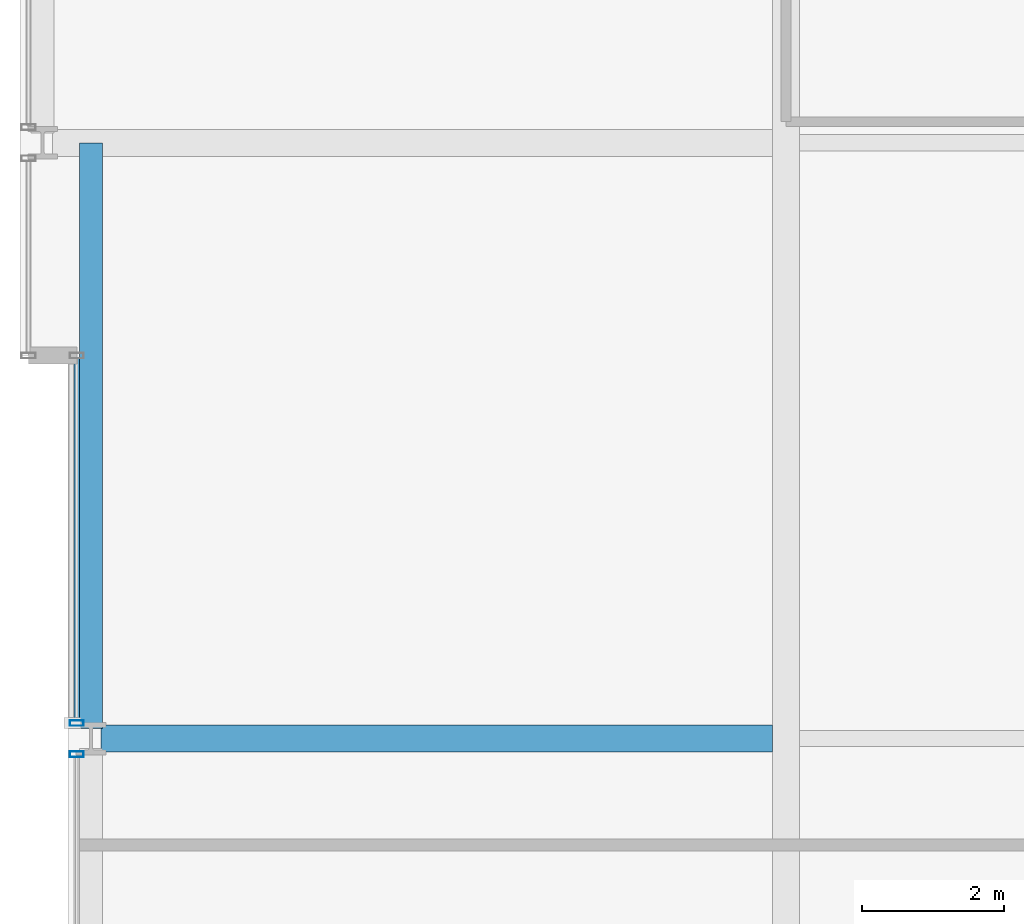
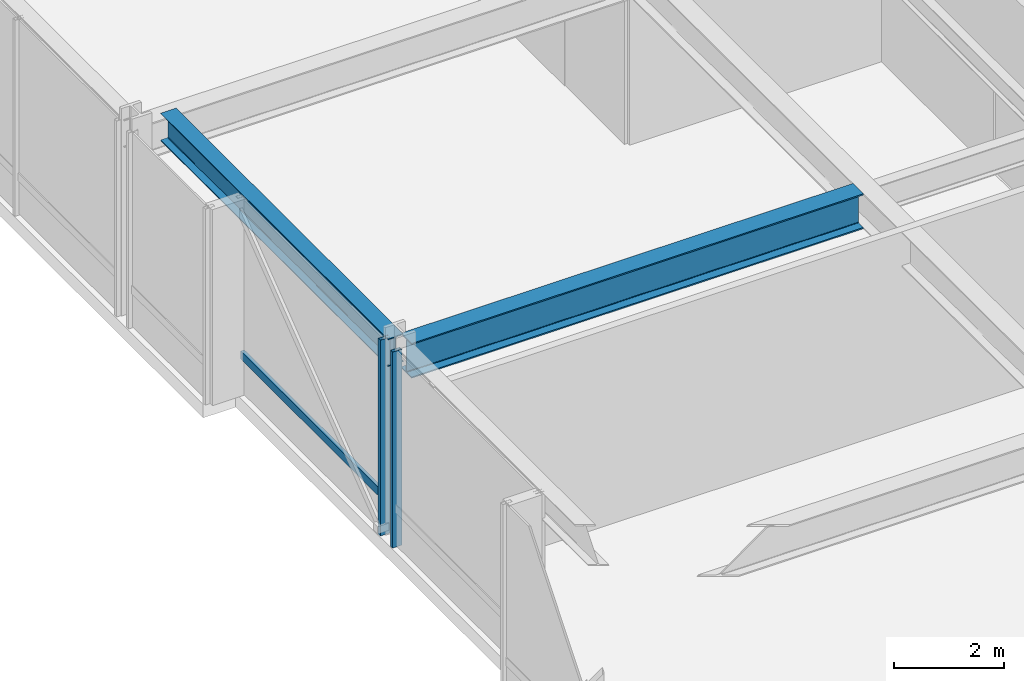
# One storey, part 9 of 33: 3 members, 2 beams, 2 elements without a shape of their own.
"""IFC4 building model written with IfcOpenShell, lengths in metres."""

from ifc_helpers import new_model, si_unit, direction, frame, origin, origin_2d, place, context, subcontext, project, spatial, hollow_rectangle, i_section, extrude, material, layer, layer_set, material_profile, profile_set, type_object, element, aggregate, save


model = new_model("IFC4")

# Units and contexts
model_context = context("Model", 3, precision=1e-05, world=origin(), true_north=direction((0.0, 1.0)))
body_context = subcontext(model_context, "Body", "Model", "MODEL_VIEW")
ifc_project = project(units=[si_unit("LENGTHUNIT", "METRE"), si_unit("AREAUNIT", "SQUARE_METRE"), si_unit("VOLUMEUNIT", "CUBIC_METRE"), si_unit("PLANEANGLEUNIT", "RADIAN"), si_unit("MASSUNIT", "GRAM", prefix="KILO")], contexts=[model_context])

# Site, building, storey
site_placement = place(None, origin())
site = spatial("IfcSite", under=ifc_project, at=site_placement, CompositionType="ELEMENT")
building_placement = place(site_placement, origin())
building = spatial("IfcBuilding", under=site, at=building_placement, Name="Drelvath Grand Hotel", CompositionType="ELEMENT")
storey_placement = place(building_placement, frame((0.0, 0.0, 87.199951171875)))
storey = spatial("IfcBuildingStorey", under=building, at=storey_placement, Name="L21", CompositionType="ELEMENT", Elevation=87.199951171875)

# Curtain wall, member
ifc_material_1 = material(Name="Champagne Bronze Anodised Aluminium Frame", Category="aluminium")
ifc_layer = layer(ifc_material_1, 0.199951171875)
ifc_layer_set = layer_set([ifc_layer], Name="Champagne Bronze Anodised Aluminium Frame")
curtain_wall_type = type_object("IfcCurtainWallType", Name="Stick Curtain Wall CW-03 Champagne Bronze Mid-Rise", PredefinedType="NOTDEFINED", material=ifc_layer_set)
curtain_wall_1_placement = place(storey_placement, origin())
curtain_wall_1 = element("IfcCurtainWall", 1, at=curtain_wall_1_placement, inside=storey, type_object=curtain_wall_type, Name="L21 CW-03 Curtain Wall CW03-L21-WM2", PredefinedType="NOTDEFINED")
ifc_material_profile_1 = material_profile(ifc_material_1, hollow_rectangle(XDim=0.074951171875, YDim=0.179931640625, WallThickness=0.0048828125, at=origin_2d()), Name="HSS180X75X5")
ifc_profile_set_1 = profile_set([ifc_material_profile_1], Name="Champagne Bronze Anodised Aluminium Frame")
member_type_1 = type_object("IfcMemberType", Name="Curtain Wall Horizontal Transom CW-03 HSS180X75X5", PredefinedType="USERDEFINED", material=ifc_profile_set_1)
member_1_placement = place(storey_placement, frame((-26.199951171875, 27.259521484375, 0.85009765625), z_axis=(0.0, 1.0, 0.0), x_axis=(-1.0, 0.0, 0.0)))
member_1 = element("IfcMember", 2, at=member_1_placement, type_object=member_type_1, Name="CW03-L21-WM2 Sill Transom", ObjectType="TRANSOM", PredefinedType="USERDEFINED", context=body_context, shape_type="SweptSolid", body=[
    extrude(hollow_rectangle(XDim=0.074951171875, YDim=0.179931640625, WallThickness=0.0048828125, at=origin_2d()), origin(), (0.0, 0.0, 1.0), 5.1005859375),
])

curtain_wall_2_placement = place(storey_placement, origin())
curtain_wall_2 = element("IfcCurtainWall", 3, at=curtain_wall_2_placement, inside=storey, type_object=curtain_wall_type, Name="L21 CW-03 Curtain Wall CW03-L21-WM1", PredefinedType="NOTDEFINED")
ifc_material_profile_2 = material_profile(ifc_material_1, hollow_rectangle(XDim=0.080078125, YDim=0.199951171875, WallThickness=0.0048828125, at=origin_2d()), Name="HSS200X80X5")
ifc_profile_set_2 = profile_set([ifc_material_profile_2], Name="Champagne Bronze Anodised Aluminium Frame")
member_type_2 = type_object("IfcMemberType", Name="Curtain Wall Vertical Mullion CW-03 HSS200X80X5", PredefinedType="MULLION", material=ifc_profile_set_2)
member_2_placement = place(storey_placement, frame((-26.199951171875, 26.780517578125, 0.0), z_axis=(0.0, 0.0, 1.0), x_axis=(0.0, 1.0, 0.0)))
member_2 = element("IfcMember", 4, at=member_2_placement, type_object=member_type_2, Name="CW03-L21-WM1 Mullion 2", PredefinedType="MULLION", context=body_context, shape_type="SweptSolid", body=[
    extrude(hollow_rectangle(XDim=0.080078125, YDim=0.199951171875, WallThickness=0.0048828125, at=origin_2d()), origin(), (0.0, 0.0, 1.0), 4.340087890625),
])
aggregate(curtain_wall_2, [member_2])

# Member
member_3_placement = place(storey_placement, frame((-26.199951171875, 27.219482421875, 0.0), z_axis=(0.0, 0.0, 1.0), x_axis=(0.0, 1.0, 0.0)))
member_3 = element("IfcMember", 5, at=member_3_placement, type_object=member_type_2, Name="CW03-L21-WM2 Mullion 1", PredefinedType="MULLION", context=body_context, shape_type="SweptSolid", body=[
    extrude(hollow_rectangle(XDim=0.080078125, YDim=0.199951171875, WallThickness=0.0048828125, at=origin_2d()), origin(), (0.0, 0.0, 1.0), 4.340087890625),
])

aggregate(curtain_wall_1, [member_3, member_1])

# Beams
ifc_material_2 = material(Name="Steel ASTM A992 Gr 50", Category="steel")
ifc_material_profile_3 = material_profile(ifc_material_2, i_section(OverallWidth=0.323974609375, OverallDepth=0.611083984375, WebThickness=0.0126953125, FlangeThickness=0.01904296875, FilletRadius=0.02197265625, at=origin_2d()), Name="W24X104")
ifc_profile_set_3 = profile_set([ifc_material_profile_3], Name="Steel ASTM A992 Gr 50")
beam_type_1 = type_object("IfcBeamType", Name="Perimeter Spandrel Beam W24X104", PredefinedType="SPANDREL", material=ifc_profile_set_3)
beam_1_placement = place(storey_placement, frame((-26.0, 27.139892578125, 4.03466796875), z_axis=(0.0, 1.0, 0.0), x_axis=(-1.0, 0.0, 0.0)))
element("IfcBeam", 6, at=beam_1_placement, inside=storey, type_object=beam_type_1, Name="L21 Spandrel West Mid N", PredefinedType="SPANDREL", context=body_context, shape_type="SweptSolid", body=[
    extrude(i_section(OverallWidth=0.323974609375, OverallDepth=0.611083984375, WebThickness=0.0126953125, FlangeThickness=0.01904296875, FilletRadius=0.02197265625, at=origin_2d()), origin(), (0.0, 0.0, 1.0), 8.260009765625),
])
ifc_material_profile_4 = material_profile(ifc_material_2, i_section(OverallWidth=0.380615234375, OverallDepth=0.773193359375, WebThickness=0.0166015625, FlangeThickness=0.027099609375, FilletRadius=0.02490234375, at=origin_2d()), Name="W30X173")
ifc_profile_set_4 = profile_set([ifc_material_profile_4], Name="Steel ASTM A992 Gr 50")
beam_type_2 = type_object("IfcBeamType", Name="Primary Floor Girder W30X173", PredefinedType="BEAM", material=ifc_profile_set_4)
beam_2_placement = place(storey_placement, frame((-25.860107421875, 27.0, 3.953369140625), z_axis=(1.0, 0.0, 0.0), x_axis=(0.0, 1.0, 0.0)))
element("IfcBeam", 7, at=beam_2_placement, inside=storey, type_object=beam_type_2, Name="L21 West Wing Girder E", PredefinedType="BEAM", context=body_context, shape_type="SweptSolid", body=[
    extrude(i_section(OverallWidth=0.380615234375, OverallDepth=0.773193359375, WebThickness=0.0166015625, FlangeThickness=0.027099609375, FilletRadius=0.02490234375, at=origin_2d()), origin(), (0.0, 0.0, 1.0), 9.4697265625),
])

save(model, "model.ifc")
